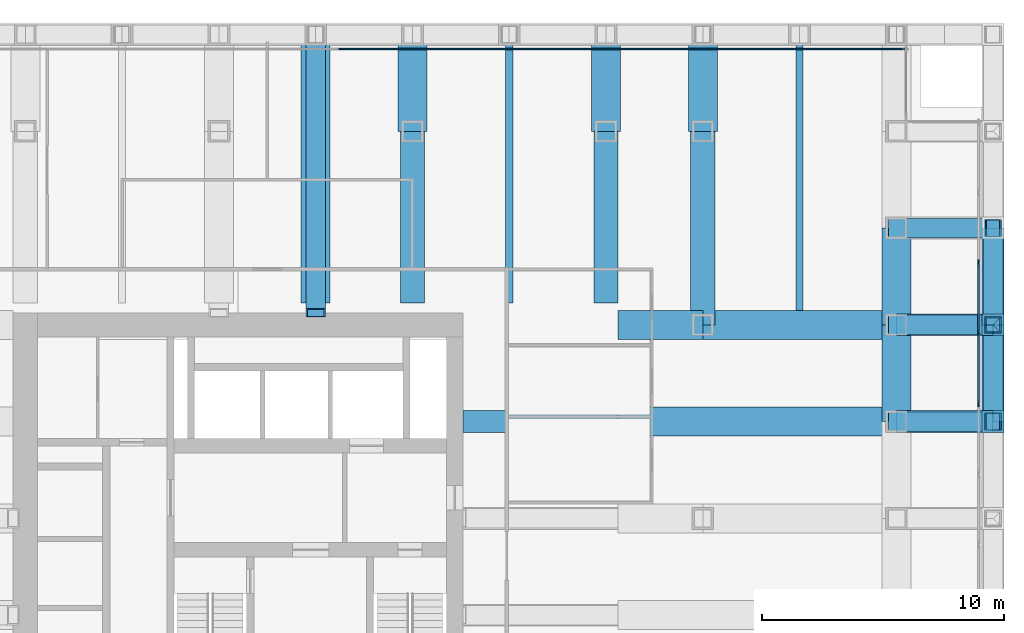
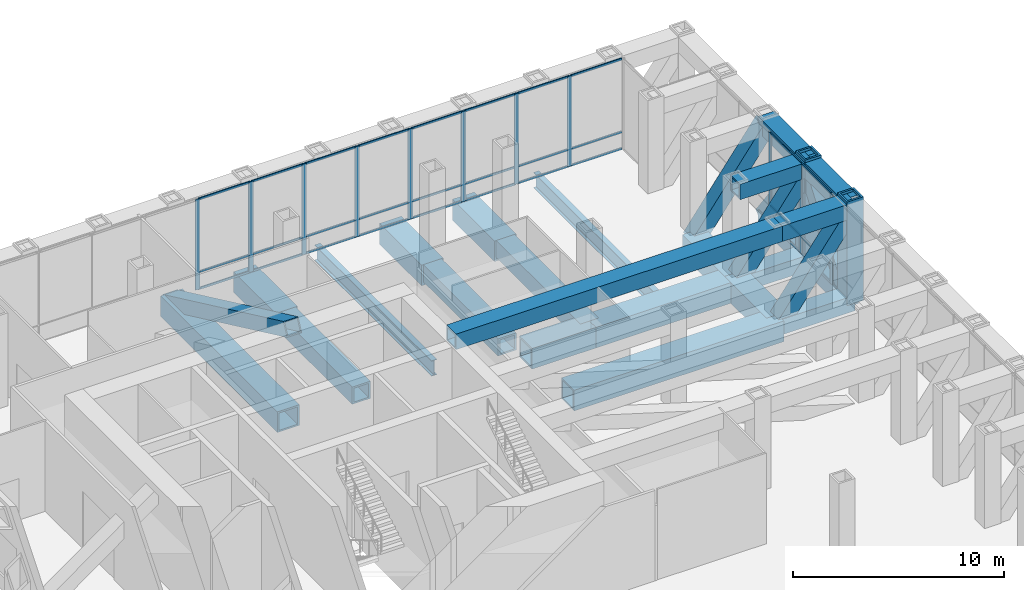
# One storey, part 8 of 14: 49 members, 23 beams, 2 elements without a shape of their own.
"""IFC4 building model written with IfcOpenShell, lengths in metres."""

from ifc_helpers import new_model, si_unit, direction, frame, origin, origin_2d, place, context, subcontext, project, spatial, rectangle, hollow_rectangle, i_section, extrude, material, material_profile, profile_set, type_object, element, aggregate, save


model = new_model("IFC4")

# Units and contexts
model_context = context("Model", 3, precision=1e-05, world=origin(), true_north=direction((0.0, 1.0)))
body_context = subcontext(model_context, "Body", "Model", "MODEL_VIEW")
ifc_project = project(units=[si_unit("LENGTHUNIT", "METRE"), si_unit("AREAUNIT", "SQUARE_METRE"), si_unit("VOLUMEUNIT", "CUBIC_METRE"), si_unit("PLANEANGLEUNIT", "RADIAN"), si_unit("MASSUNIT", "GRAM", prefix="KILO")], contexts=[model_context])

# Site, building, storey
site_placement = place(None, origin())
site = spatial("IfcSite", under=ifc_project, at=site_placement, CompositionType="ELEMENT")
building_placement = place(site_placement, origin())
building = spatial("IfcBuilding", under=site, at=building_placement, Name="Rimbunsela Tower", CompositionType="ELEMENT")
storey_placement = place(building_placement, frame((0.0, 0.0, 71.0)))
storey = spatial("IfcBuildingStorey", under=building, at=storey_placement, Name="L17", CompositionType="ELEMENT", Elevation=71.0)

# Beams
ifc_material_1 = material(Name="Steel BJ 55 (fy 410 MPa)", Category="steel")
ifc_material_profile_1 = material_profile(ifc_material_1, hollow_rectangle(XDim=1.0, YDim=1.0, WallThickness=0.10009765625, at=origin_2d()), Name="BOX 1000x1000x100")
ifc_profile_set_1 = profile_set([ifc_material_profile_1], Name="Steel BJ 55 (fy 410 MPa)")
beam_type_1 = type_object("IfcBeamType", Name="Beam BOX 1000x1000x100", PredefinedType="BEAM", material=ifc_profile_set_1)
for number, where, z_axis, x_axis, name in (
    (1, (34.0, 36.89990234375, -0.64990234375), (0.0, 1.0, 0.0), (-1.0, 0.0, 0.0), "Beam B3 L17"),
    (2, (42.0, 36.89990234375, -0.64990234375), (0.0, 1.0, 0.0), (-1.0, 0.0, 0.0), "Beam B3 L17"),
):
    element("IfcBeam", number, at=place(storey_placement, frame(where, z_axis=z_axis, x_axis=x_axis)), inside=storey, type_object=beam_type_1, Name=name, PredefinedType="BEAM", context=body_context, shape_type="SweptSolid", body=[
        extrude(hollow_rectangle(XDim=1.0, YDim=1.0, WallThickness=0.10009765625, at=origin_2d()), origin(), (0.0, 0.0, 1.0), 7.10009765625),
    ])
beam_1_placement = place(storey_placement, frame((46.0, 36.0, -0.64990234375), z_axis=(0.0, 1.0, 0.0), x_axis=(-1.0, 0.0, 0.0)))
element("IfcBeam", 3, at=beam_1_placement, inside=storey, type_object=beam_type_1, Name="Beam B3 L17", PredefinedType="BEAM", context=body_context, shape_type="SweptSolid", body=[
    extrude(hollow_rectangle(XDim=1.0, YDim=1.0, WallThickness=0.10009765625, at=origin_2d()), origin(), (0.0, 0.0, 1.0), 8.0),
])
ifc_material_2 = material(Name="Steel BJ 55 (fy 410 MPa)", Category="steel")
ifc_material_profile_2 = material_profile(ifc_material_2, hollow_rectangle(XDim=1.199951171875, YDim=1.199951171875, WallThickness=0.10009765625, at=origin_2d()), Name="BOX 1200x1200x100")
ifc_profile_set_2 = profile_set([ifc_material_profile_2], Name="Steel BJ 55 (fy 410 MPa)")
beam_type_2 = type_object("IfcBeamType", Name="Beam BOX 1200x1200x100", PredefinedType="BEAM", material=ifc_profile_set_2)
beam_2_placement = place(storey_placement, frame((30.0, 36.89990234375, -0.75), z_axis=(0.0, 1.0, 0.0), x_axis=(-1.0, 0.0, 0.0)))
element("IfcBeam", 4, at=beam_2_placement, inside=storey, type_object=beam_type_2, Name="Beam B5 L17", PredefinedType="BEAM", context=body_context, shape_type="SweptSolid", body=[
    extrude(hollow_rectangle(XDim=1.199951171875, YDim=1.199951171875, WallThickness=0.10009765625, at=origin_2d()), origin(), (0.0, 0.0, 1.0), 11.10009765625),
])
beam_3_placement = place(storey_placement, frame((42.5, 32.0, -0.75), z_axis=(1.0, 0.0, 0.0), x_axis=(0.0, 1.0, 0.0)))
element("IfcBeam", 5, at=beam_3_placement, inside=storey, type_object=beam_type_2, Name="Beam B5 L17", PredefinedType="BEAM", context=body_context, shape_type="SweptSolid", body=[
    extrude(hollow_rectangle(XDim=1.199951171875, YDim=1.199951171875, WallThickness=0.10009765625, at=origin_2d()), origin(), (0.0, 0.0, 1.0), 11.5),
])
beam_4_placement = place(storey_placement, frame((42.5, 36.0, -0.75), z_axis=(1.0, 0.0, 0.0), x_axis=(0.0, 1.0, 0.0)))
element("IfcBeam", 6, at=beam_4_placement, inside=storey, type_object=beam_type_2, Name="Beam B5 L17", PredefinedType="BEAM", context=body_context, shape_type="SweptSolid", body=[
    extrude(hollow_rectangle(XDim=1.199951171875, YDim=1.199951171875, WallThickness=0.10009765625, at=origin_2d()), origin(), (0.0, 0.0, 1.0), 3.5),
])
ifc_material_3 = material(Name="Steel BJ 55 (fy 410 MPa)", Category="steel")
ifc_material_profile_3 = material_profile(ifc_material_3, hollow_rectangle(XDim=1.199951171875, YDim=1.199951171875, WallThickness=0.125, at=origin_2d()), Name="BOX 1200x1200x125")
ifc_profile_set_3 = profile_set([ifc_material_profile_3], Name="Steel BJ 55 (fy 410 MPa)")
beam_type_3 = type_object("IfcBeamType", Name="Beam BOX 1200x1200x125", PredefinedType="BEAM", material=ifc_profile_set_3)
for number, where, z_axis, x_axis, name in (
    (7, (34.0, 44.0, -0.75), (0.0, 1.0, 0.0), (-1.0, 0.0, 0.0), "Beam B4 L17"),
    (8, (42.0, 44.0, -0.75), (0.0, 1.0, 0.0), (-1.0, 0.0, 0.0), "Beam B4 L17"),
):
    element("IfcBeam", number, at=place(storey_placement, frame(where, z_axis=z_axis, x_axis=x_axis)), inside=storey, type_object=beam_type_3, Name=name, PredefinedType="BEAM", context=body_context, shape_type="SweptSolid", body=[
        extrude(hollow_rectangle(XDim=1.199951171875, YDim=1.199951171875, WallThickness=0.125, at=origin_2d()), origin(), (0.0, 0.0, 1.0), 4.0),
    ])
beam_5_placement = place(storey_placement, frame((46.0, 36.0, -0.75), z_axis=(1.0, 0.0, 0.0), x_axis=(0.0, 1.0, 0.0)))
element("IfcBeam", 9, at=beam_5_placement, inside=storey, type_object=beam_type_3, Name="Beam B4 L17", PredefinedType="BEAM", context=body_context, shape_type="SweptSolid", body=[
    extrude(hollow_rectangle(XDim=1.199951171875, YDim=1.199951171875, WallThickness=0.125, at=origin_2d()), origin(), (0.0, 0.0, 1.0), 8.0),
])
for number, where, z_axis, x_axis, name in (
    (10, (46.0, 44.0, -0.75), (0.0, 1.0, 0.0), (-1.0, 0.0, 0.0), "Beam B4 L17"),
    (11, (54.0, 32.0, -0.75), (0.0, 1.0, 0.0), (-1.0, 0.0, 0.0), "Beam B4 L17"),
    (12, (54.0, 36.0, -0.75), (0.0, 1.0, 0.0), (-1.0, 0.0, 0.0), "Beam B4 L17"),
):
    element("IfcBeam", number, at=place(storey_placement, frame(where, z_axis=z_axis, x_axis=x_axis)), inside=storey, type_object=beam_type_3, Name=name, PredefinedType="BEAM", context=body_context, shape_type="SweptSolid", body=[
        extrude(hollow_rectangle(XDim=1.199951171875, YDim=1.199951171875, WallThickness=0.125, at=origin_2d()), origin(), (0.0, 0.0, 1.0), 4.0),
    ])
ifc_material_4 = material(Name="Steel BJ 55 (fy 410 MPa)", Category="steel")
ifc_material_profile_4 = material_profile(ifc_material_4, i_section(OverallWidth=0.300048828125, OverallDepth=0.89990234375, WebThickness=0.01611328125, FlangeThickness=0.028076171875, FilletRadius=0.028076171875, at=origin_2d()), Name="H 900x300x16x28")
ifc_profile_set_4 = profile_set([ifc_material_profile_4], Name="Steel BJ 55 (fy 410 MPa)")
beam_type_4 = type_object("IfcBeamType", Name="Beam H 900x300x16x28", PredefinedType="BEAM", material=ifc_profile_set_4)
beam_6_placement = place(storey_placement, frame((38.0, 36.89990234375, -0.60009765625), z_axis=(0.0, 1.0, 0.0), x_axis=(-1.0, 0.0, 0.0)))
element("IfcBeam", 13, at=beam_6_placement, inside=storey, type_object=beam_type_4, Name="Beam B2 L17", PredefinedType="BEAM", context=body_context, shape_type="SweptSolid", body=[
    extrude(i_section(OverallWidth=0.300048828125, OverallDepth=0.89990234375, WebThickness=0.01611328125, FlangeThickness=0.028076171875, FilletRadius=0.028076171875, at=origin_2d()), origin(), (0.0, 0.0, 1.0), 11.10009765625),
])
beam_7_placement = place(storey_placement, frame((50.0, 36.60009765625, -0.60009765625), z_axis=(0.0, 1.0, 0.0), x_axis=(-1.0, 0.0, 0.0)))
element("IfcBeam", 14, at=beam_7_placement, inside=storey, type_object=beam_type_4, Name="Beam B2 L17", PredefinedType="BEAM", context=body_context, shape_type="SweptSolid", body=[
    extrude(i_section(OverallWidth=0.300048828125, OverallDepth=0.89990234375, WebThickness=0.01611328125, FlangeThickness=0.028076171875, FilletRadius=0.028076171875, at=origin_2d()), origin(), (0.0, 0.0, 1.0), 11.39990234375),
])

# Curtain wall, members
ifc_material_5 = material(Name="Aluminium curtain wall", Category="aluminium")
curtain_wall_type = type_object("IfcCurtainWallType", Name="Plant floor louvre wall", PredefinedType="USERDEFINED", material=ifc_material_5)
curtain_wall_1_placement = place(storey_placement, origin())
curtain_wall_1 = element("IfcCurtainWall", 15, at=curtain_wall_1_placement, inside=storey, type_object=curtain_wall_type, Name="Plant floor louvre wall L17", ObjectType="PLANT FLOOR LOUVRE WALL", PredefinedType="USERDEFINED")
ifc_material_6 = material(Name="Aluminium mullion", Category="aluminium")
ifc_material_profile_5 = material_profile(ifc_material_6, rectangle(XDim=0.06005859375, YDim=0.25, at=origin_2d()), Name="Mullion 60x250")
ifc_profile_set_5 = profile_set([ifc_material_profile_5], Name="Aluminium mullion")
member_type_1 = type_object("IfcMemberType", Name="Curtain wall mullion 60x250", PredefinedType="MULLION", material=ifc_profile_set_5)
member_1_placement = place(storey_placement, frame((57.39990234375, 32.742919921875, 0.0), z_axis=(0.0, 0.0, 1.0), x_axis=(-1.0, 0.0, 0.0)))
member_1 = element("IfcMember", 16, at=member_1_placement, type_object=member_type_1, Name="CW3 mullion 11", PredefinedType="MULLION", context=body_context, shape_type="SweptSolid", body=[
    extrude(rectangle(XDim=0.06005859375, YDim=0.25, at=origin_2d()), origin(), (0.0, 0.0, 1.0), 5.25),
])
member_2_placement = place(storey_placement, frame((57.39990234375, 35.6572265625, 0.0), z_axis=(0.0, 0.0, 1.0), x_axis=(-1.0, 0.0, 0.0)))
member_2 = element("IfcMember", 17, at=member_2_placement, type_object=member_type_1, Name="CW3 mullion 12", PredefinedType="MULLION", context=body_context, shape_type="SweptSolid", body=[
    extrude(rectangle(XDim=0.06005859375, YDim=0.25, at=origin_2d()), origin(), (0.0, 0.0, 1.0), 5.25),
])
member_3_placement = place(storey_placement, frame((57.39990234375, 38.571533203125, 0.0), z_axis=(0.0, 0.0, 1.0), x_axis=(-1.0, 0.0, 0.0)))
member_3 = element("IfcMember", 18, at=member_3_placement, type_object=member_type_1, Name="CW3 mullion 13", PredefinedType="MULLION", context=body_context, shape_type="SweptSolid", body=[
    extrude(rectangle(XDim=0.06005859375, YDim=0.25, at=origin_2d()), origin(), (0.0, 0.0, 1.0), 5.25),
])

curtain_wall_2_placement = place(storey_placement, origin())
curtain_wall_2 = element("IfcCurtainWall", 19, at=curtain_wall_2_placement, inside=storey, type_object=curtain_wall_type, Name="Plant floor louvre wall L17", ObjectType="PLANT FLOOR LOUVRE WALL", PredefinedType="USERDEFINED")
member_4_placement = place(storey_placement, frame((51.485595703125, 47.39990234375, 0.0), z_axis=(0.0, 0.0, 1.0), x_axis=(0.0, -1.0, 0.0)))
member_4 = element("IfcMember", 20, at=member_4_placement, type_object=member_type_1, Name="CW3 mullion 2", PredefinedType="MULLION", context=body_context, shape_type="SweptSolid", body=[
    extrude(rectangle(XDim=0.06005859375, YDim=0.25, at=origin_2d()), origin(), (0.0, 0.0, 1.0), 5.25),
])
member_5_placement = place(storey_placement, frame((48.571533203125, 47.39990234375, 0.0), z_axis=(0.0, 0.0, 1.0), x_axis=(0.0, -1.0, 0.0)))
member_5 = element("IfcMember", 21, at=member_5_placement, type_object=member_type_1, Name="CW3 mullion 3", PredefinedType="MULLION", context=body_context, shape_type="SweptSolid", body=[
    extrude(rectangle(XDim=0.06005859375, YDim=0.25, at=origin_2d()), origin(), (0.0, 0.0, 1.0), 5.25),
])
member_6_placement = place(storey_placement, frame((45.6572265625, 47.39990234375, 0.0), z_axis=(0.0, 0.0, 1.0), x_axis=(0.0, -1.0, 0.0)))
member_6 = element("IfcMember", 22, at=member_6_placement, type_object=member_type_1, Name="CW3 mullion 4", PredefinedType="MULLION", context=body_context, shape_type="SweptSolid", body=[
    extrude(rectangle(XDim=0.06005859375, YDim=0.25, at=origin_2d()), origin(), (0.0, 0.0, 1.0), 5.25),
])
member_7_placement = place(storey_placement, frame((42.742919921875, 47.39990234375, 0.0), z_axis=(0.0, 0.0, 1.0), x_axis=(0.0, -1.0, 0.0)))
member_7 = element("IfcMember", 23, at=member_7_placement, type_object=member_type_1, Name="CW3 mullion 5", PredefinedType="MULLION", context=body_context, shape_type="SweptSolid", body=[
    extrude(rectangle(XDim=0.06005859375, YDim=0.25, at=origin_2d()), origin(), (0.0, 0.0, 1.0), 5.25),
])
member_8_placement = place(storey_placement, frame((39.82861328125, 47.39990234375, 0.0), z_axis=(0.0, 0.0, 1.0), x_axis=(0.0, -1.0, 0.0)))
member_8 = element("IfcMember", 24, at=member_8_placement, type_object=member_type_1, Name="CW3 mullion 6", PredefinedType="MULLION", context=body_context, shape_type="SweptSolid", body=[
    extrude(rectangle(XDim=0.06005859375, YDim=0.25, at=origin_2d()), origin(), (0.0, 0.0, 1.0), 5.25),
])
member_9_placement = place(storey_placement, frame((36.914306640625, 47.39990234375, 0.0), z_axis=(0.0, 0.0, 1.0), x_axis=(0.0, -1.0, 0.0)))
member_9 = element("IfcMember", 25, at=member_9_placement, type_object=member_type_1, Name="CW3 mullion 7", PredefinedType="MULLION", context=body_context, shape_type="SweptSolid", body=[
    extrude(rectangle(XDim=0.06005859375, YDim=0.25, at=origin_2d()), origin(), (0.0, 0.0, 1.0), 5.25),
])
member_10_placement = place(storey_placement, frame((34.0, 47.39990234375, 0.0), z_axis=(0.0, 0.0, 1.0), x_axis=(0.0, -1.0, 0.0)))
member_10 = element("IfcMember", 26, at=member_10_placement, type_object=member_type_1, Name="CW3 mullion 8", PredefinedType="MULLION", context=body_context, shape_type="SweptSolid", body=[
    extrude(rectangle(XDim=0.06005859375, YDim=0.25, at=origin_2d()), origin(), (0.0, 0.0, 1.0), 5.25),
])
member_11_placement = place(storey_placement, frame((31.085693359375, 47.39990234375, 0.0), z_axis=(0.0, 0.0, 1.0), x_axis=(0.0, -1.0, 0.0)))
member_11 = element("IfcMember", 27, at=member_11_placement, type_object=member_type_1, Name="CW3 mullion 9", PredefinedType="MULLION", context=body_context, shape_type="SweptSolid", body=[
    extrude(rectangle(XDim=0.06005859375, YDim=0.25, at=origin_2d()), origin(), (0.0, 0.0, 1.0), 5.25),
])

# Member
ifc_material_7 = material(Name="Aluminium transom", Category="aluminium")
ifc_material_profile_6 = material_profile(ifc_material_7, rectangle(XDim=0.06005859375, YDim=0.1201171875, at=origin_2d()), Name="Transom 60x120")
ifc_profile_set_6 = profile_set([ifc_material_profile_6], Name="Aluminium transom")
member_type_2 = type_object("IfcMemberType", Name="Curtain wall transom 60x120", PredefinedType="USERDEFINED", material=ifc_profile_set_6)
member_12_placement = place(storey_placement, frame((57.39990234375, 32.77294921875, 0.030029296875), z_axis=(0.0, 1.0, 0.0), x_axis=(-1.0, 0.0, 0.0)))
member_12 = element("IfcMember", 28, at=member_12_placement, type_object=member_type_2, Name="CW3 transom 11.1", ObjectType="TRANSOM", PredefinedType="USERDEFINED", context=body_context, shape_type="SweptSolid", body=[
    extrude(rectangle(XDim=0.06005859375, YDim=0.1201171875, at=origin_2d()), origin(), (0.0, 0.0, 1.0), 2.854248046875),
])

member_13_placement = place(storey_placement, frame((57.39990234375, 32.77294921875, 1.0), z_axis=(0.0, 1.0, 0.0), x_axis=(-1.0, 0.0, 0.0)))
member_13 = element("IfcMember", 29, at=member_13_placement, type_object=member_type_2, Name="CW3 transom 11.2", ObjectType="TRANSOM", PredefinedType="USERDEFINED", context=body_context, shape_type="SweptSolid", body=[
    extrude(rectangle(XDim=0.06005859375, YDim=0.1201171875, at=origin_2d()), origin(), (0.0, 0.0, 1.0), 2.854248046875),
])

member_14_placement = place(storey_placement, frame((57.39990234375, 32.77294921875, 5.219970703125), z_axis=(0.0, 1.0, 0.0), x_axis=(-1.0, 0.0, 0.0)))
member_14 = element("IfcMember", 30, at=member_14_placement, type_object=member_type_2, Name="CW3 transom 11.3", ObjectType="TRANSOM", PredefinedType="USERDEFINED", context=body_context, shape_type="SweptSolid", body=[
    extrude(rectangle(XDim=0.06005859375, YDim=0.1201171875, at=origin_2d()), origin(), (0.0, 0.0, 1.0), 2.854248046875),
])

member_15_placement = place(storey_placement, frame((57.39990234375, 35.687255859375, 0.030029296875), z_axis=(0.0, 1.0, 0.0), x_axis=(-1.0, 0.0, 0.0)))
member_15 = element("IfcMember", 31, at=member_15_placement, type_object=member_type_2, Name="CW3 transom 12.1", ObjectType="TRANSOM", PredefinedType="USERDEFINED", context=body_context, shape_type="SweptSolid", body=[
    extrude(rectangle(XDim=0.06005859375, YDim=0.1201171875, at=origin_2d()), origin(), (0.0, 0.0, 1.0), 2.854248046875),
])

member_16_placement = place(storey_placement, frame((57.39990234375, 35.687255859375, 1.0), z_axis=(0.0, 1.0, 0.0), x_axis=(-1.0, 0.0, 0.0)))
member_16 = element("IfcMember", 32, at=member_16_placement, type_object=member_type_2, Name="CW3 transom 12.2", ObjectType="TRANSOM", PredefinedType="USERDEFINED", context=body_context, shape_type="SweptSolid", body=[
    extrude(rectangle(XDim=0.06005859375, YDim=0.1201171875, at=origin_2d()), origin(), (0.0, 0.0, 1.0), 2.854248046875),
])

member_17_placement = place(storey_placement, frame((57.39990234375, 35.687255859375, 5.219970703125), z_axis=(0.0, 1.0, 0.0), x_axis=(-1.0, 0.0, 0.0)))
member_17 = element("IfcMember", 33, at=member_17_placement, type_object=member_type_2, Name="CW3 transom 12.3", ObjectType="TRANSOM", PredefinedType="USERDEFINED", context=body_context, shape_type="SweptSolid", body=[
    extrude(rectangle(XDim=0.06005859375, YDim=0.1201171875, at=origin_2d()), origin(), (0.0, 0.0, 1.0), 2.854248046875),
])

aggregate(curtain_wall_1, [member_1, member_2, member_3, member_12, member_13, member_14, member_15, member_16, member_17])

member_18_placement = place(storey_placement, frame((54.340087890625, 47.39990234375, 0.030029296875), z_axis=(-1.0, 0.0, 0.0), x_axis=(0.0, -1.0, 0.0)))
member_18 = element("IfcMember", 34, at=member_18_placement, type_object=member_type_2, Name="CW3 transom 1.1", ObjectType="TRANSOM", PredefinedType="USERDEFINED", context=body_context, shape_type="SweptSolid", body=[
    extrude(rectangle(XDim=0.06005859375, YDim=0.1201171875, at=origin_2d()), origin(), (0.0, 0.0, 1.0), 2.824462890625),
])

member_19_placement = place(storey_placement, frame((54.340087890625, 47.39990234375, 1.0), z_axis=(-1.0, 0.0, 0.0), x_axis=(0.0, -1.0, 0.0)))
member_19 = element("IfcMember", 35, at=member_19_placement, type_object=member_type_2, Name="CW3 transom 1.2", ObjectType="TRANSOM", PredefinedType="USERDEFINED", context=body_context, shape_type="SweptSolid", body=[
    extrude(rectangle(XDim=0.06005859375, YDim=0.1201171875, at=origin_2d()), origin(), (0.0, 0.0, 1.0), 2.824462890625),
])

member_20_placement = place(storey_placement, frame((54.340087890625, 47.39990234375, 5.219970703125), z_axis=(-1.0, 0.0, 0.0), x_axis=(0.0, -1.0, 0.0)))
member_20 = element("IfcMember", 36, at=member_20_placement, type_object=member_type_2, Name="CW3 transom 1.3", ObjectType="TRANSOM", PredefinedType="USERDEFINED", context=body_context, shape_type="SweptSolid", body=[
    extrude(rectangle(XDim=0.06005859375, YDim=0.1201171875, at=origin_2d()), origin(), (0.0, 0.0, 1.0), 2.824462890625),
])

member_21_placement = place(storey_placement, frame((51.455810546875, 47.39990234375, 0.030029296875), z_axis=(-1.0, 0.0, 0.0), x_axis=(0.0, -1.0, 0.0)))
member_21 = element("IfcMember", 37, at=member_21_placement, type_object=member_type_2, Name="CW3 transom 2.1", ObjectType="TRANSOM", PredefinedType="USERDEFINED", context=body_context, shape_type="SweptSolid", body=[
    extrude(rectangle(XDim=0.06005859375, YDim=0.1201171875, at=origin_2d()), origin(), (0.0, 0.0, 1.0), 2.8544921875),
])

member_22_placement = place(storey_placement, frame((51.455810546875, 47.39990234375, 1.0), z_axis=(-1.0, 0.0, 0.0), x_axis=(0.0, -1.0, 0.0)))
member_22 = element("IfcMember", 38, at=member_22_placement, type_object=member_type_2, Name="CW3 transom 2.2", ObjectType="TRANSOM", PredefinedType="USERDEFINED", context=body_context, shape_type="SweptSolid", body=[
    extrude(rectangle(XDim=0.06005859375, YDim=0.1201171875, at=origin_2d()), origin(), (0.0, 0.0, 1.0), 2.8544921875),
])

member_23_placement = place(storey_placement, frame((51.455810546875, 47.39990234375, 5.219970703125), z_axis=(-1.0, 0.0, 0.0), x_axis=(0.0, -1.0, 0.0)))
member_23 = element("IfcMember", 39, at=member_23_placement, type_object=member_type_2, Name="CW3 transom 2.3", ObjectType="TRANSOM", PredefinedType="USERDEFINED", context=body_context, shape_type="SweptSolid", body=[
    extrude(rectangle(XDim=0.06005859375, YDim=0.1201171875, at=origin_2d()), origin(), (0.0, 0.0, 1.0), 2.8544921875),
])

member_24_placement = place(storey_placement, frame((48.54150390625, 47.39990234375, 0.030029296875), z_axis=(-1.0, 0.0, 0.0), x_axis=(0.0, -1.0, 0.0)))
member_24 = element("IfcMember", 40, at=member_24_placement, type_object=member_type_2, Name="CW3 transom 3.1", ObjectType="TRANSOM", PredefinedType="USERDEFINED", context=body_context, shape_type="SweptSolid", body=[
    extrude(rectangle(XDim=0.06005859375, YDim=0.1201171875, at=origin_2d()), origin(), (0.0, 0.0, 1.0), 2.854248046875),
])

member_25_placement = place(storey_placement, frame((48.54150390625, 47.39990234375, 1.0), z_axis=(-1.0, 0.0, 0.0), x_axis=(0.0, -1.0, 0.0)))
member_25 = element("IfcMember", 41, at=member_25_placement, type_object=member_type_2, Name="CW3 transom 3.2", ObjectType="TRANSOM", PredefinedType="USERDEFINED", context=body_context, shape_type="SweptSolid", body=[
    extrude(rectangle(XDim=0.06005859375, YDim=0.1201171875, at=origin_2d()), origin(), (0.0, 0.0, 1.0), 2.854248046875),
])

member_26_placement = place(storey_placement, frame((48.54150390625, 47.39990234375, 5.219970703125), z_axis=(-1.0, 0.0, 0.0), x_axis=(0.0, -1.0, 0.0)))
member_26 = element("IfcMember", 42, at=member_26_placement, type_object=member_type_2, Name="CW3 transom 3.3", ObjectType="TRANSOM", PredefinedType="USERDEFINED", context=body_context, shape_type="SweptSolid", body=[
    extrude(rectangle(XDim=0.06005859375, YDim=0.1201171875, at=origin_2d()), origin(), (0.0, 0.0, 1.0), 2.854248046875),
])

member_27_placement = place(storey_placement, frame((45.627197265625, 47.39990234375, 0.030029296875), z_axis=(-1.0, 0.0, 0.0), x_axis=(0.0, -1.0, 0.0)))
member_27 = element("IfcMember", 43, at=member_27_placement, type_object=member_type_2, Name="CW3 transom 4.1", ObjectType="TRANSOM", PredefinedType="USERDEFINED", context=body_context, shape_type="SweptSolid", body=[
    extrude(rectangle(XDim=0.06005859375, YDim=0.1201171875, at=origin_2d()), origin(), (0.0, 0.0, 1.0), 2.854248046875),
])

member_28_placement = place(storey_placement, frame((45.627197265625, 47.39990234375, 1.0), z_axis=(-1.0, 0.0, 0.0), x_axis=(0.0, -1.0, 0.0)))
member_28 = element("IfcMember", 44, at=member_28_placement, type_object=member_type_2, Name="CW3 transom 4.2", ObjectType="TRANSOM", PredefinedType="USERDEFINED", context=body_context, shape_type="SweptSolid", body=[
    extrude(rectangle(XDim=0.06005859375, YDim=0.1201171875, at=origin_2d()), origin(), (0.0, 0.0, 1.0), 2.854248046875),
])

member_29_placement = place(storey_placement, frame((45.627197265625, 47.39990234375, 5.219970703125), z_axis=(-1.0, 0.0, 0.0), x_axis=(0.0, -1.0, 0.0)))
member_29 = element("IfcMember", 45, at=member_29_placement, type_object=member_type_2, Name="CW3 transom 4.3", ObjectType="TRANSOM", PredefinedType="USERDEFINED", context=body_context, shape_type="SweptSolid", body=[
    extrude(rectangle(XDim=0.06005859375, YDim=0.1201171875, at=origin_2d()), origin(), (0.0, 0.0, 1.0), 2.854248046875),
])

member_30_placement = place(storey_placement, frame((42.712890625, 47.39990234375, 0.030029296875), z_axis=(-1.0, 0.0, 0.0), x_axis=(0.0, -1.0, 0.0)))
member_30 = element("IfcMember", 46, at=member_30_placement, type_object=member_type_2, Name="CW3 transom 5.1", ObjectType="TRANSOM", PredefinedType="USERDEFINED", context=body_context, shape_type="SweptSolid", body=[
    extrude(rectangle(XDim=0.06005859375, YDim=0.1201171875, at=origin_2d()), origin(), (0.0, 0.0, 1.0), 2.854248046875),
])

member_31_placement = place(storey_placement, frame((42.712890625, 47.39990234375, 1.0), z_axis=(-1.0, 0.0, 0.0), x_axis=(0.0, -1.0, 0.0)))
member_31 = element("IfcMember", 47, at=member_31_placement, type_object=member_type_2, Name="CW3 transom 5.2", ObjectType="TRANSOM", PredefinedType="USERDEFINED", context=body_context, shape_type="SweptSolid", body=[
    extrude(rectangle(XDim=0.06005859375, YDim=0.1201171875, at=origin_2d()), origin(), (0.0, 0.0, 1.0), 2.854248046875),
])

member_32_placement = place(storey_placement, frame((42.712890625, 47.39990234375, 5.219970703125), z_axis=(-1.0, 0.0, 0.0), x_axis=(0.0, -1.0, 0.0)))
member_32 = element("IfcMember", 48, at=member_32_placement, type_object=member_type_2, Name="CW3 transom 5.3", ObjectType="TRANSOM", PredefinedType="USERDEFINED", context=body_context, shape_type="SweptSolid", body=[
    extrude(rectangle(XDim=0.06005859375, YDim=0.1201171875, at=origin_2d()), origin(), (0.0, 0.0, 1.0), 2.854248046875),
])

member_33_placement = place(storey_placement, frame((39.798583984375, 47.39990234375, 0.030029296875), z_axis=(-1.0, 0.0, 0.0), x_axis=(0.0, -1.0, 0.0)))
member_33 = element("IfcMember", 49, at=member_33_placement, type_object=member_type_2, Name="CW3 transom 6.1", ObjectType="TRANSOM", PredefinedType="USERDEFINED", context=body_context, shape_type="SweptSolid", body=[
    extrude(rectangle(XDim=0.06005859375, YDim=0.1201171875, at=origin_2d()), origin(), (0.0, 0.0, 1.0), 2.854248046875),
])

member_34_placement = place(storey_placement, frame((39.798583984375, 47.39990234375, 1.0), z_axis=(-1.0, 0.0, 0.0), x_axis=(0.0, -1.0, 0.0)))
member_34 = element("IfcMember", 50, at=member_34_placement, type_object=member_type_2, Name="CW3 transom 6.2", ObjectType="TRANSOM", PredefinedType="USERDEFINED", context=body_context, shape_type="SweptSolid", body=[
    extrude(rectangle(XDim=0.06005859375, YDim=0.1201171875, at=origin_2d()), origin(), (0.0, 0.0, 1.0), 2.854248046875),
])

member_35_placement = place(storey_placement, frame((39.798583984375, 47.39990234375, 5.219970703125), z_axis=(-1.0, 0.0, 0.0), x_axis=(0.0, -1.0, 0.0)))
member_35 = element("IfcMember", 51, at=member_35_placement, type_object=member_type_2, Name="CW3 transom 6.3", ObjectType="TRANSOM", PredefinedType="USERDEFINED", context=body_context, shape_type="SweptSolid", body=[
    extrude(rectangle(XDim=0.06005859375, YDim=0.1201171875, at=origin_2d()), origin(), (0.0, 0.0, 1.0), 2.854248046875),
])

member_36_placement = place(storey_placement, frame((36.88427734375, 47.39990234375, 0.030029296875), z_axis=(-1.0, 0.0, 0.0), x_axis=(0.0, -1.0, 0.0)))
member_36 = element("IfcMember", 52, at=member_36_placement, type_object=member_type_2, Name="CW3 transom 7.1", ObjectType="TRANSOM", PredefinedType="USERDEFINED", context=body_context, shape_type="SweptSolid", body=[
    extrude(rectangle(XDim=0.06005859375, YDim=0.1201171875, at=origin_2d()), origin(), (0.0, 0.0, 1.0), 2.854248046875),
])

member_37_placement = place(storey_placement, frame((36.88427734375, 47.39990234375, 1.0), z_axis=(-1.0, 0.0, 0.0), x_axis=(0.0, -1.0, 0.0)))
member_37 = element("IfcMember", 53, at=member_37_placement, type_object=member_type_2, Name="CW3 transom 7.2", ObjectType="TRANSOM", PredefinedType="USERDEFINED", context=body_context, shape_type="SweptSolid", body=[
    extrude(rectangle(XDim=0.06005859375, YDim=0.1201171875, at=origin_2d()), origin(), (0.0, 0.0, 1.0), 2.854248046875),
])

member_38_placement = place(storey_placement, frame((36.88427734375, 47.39990234375, 5.219970703125), z_axis=(-1.0, 0.0, 0.0), x_axis=(0.0, -1.0, 0.0)))
member_38 = element("IfcMember", 54, at=member_38_placement, type_object=member_type_2, Name="CW3 transom 7.3", ObjectType="TRANSOM", PredefinedType="USERDEFINED", context=body_context, shape_type="SweptSolid", body=[
    extrude(rectangle(XDim=0.06005859375, YDim=0.1201171875, at=origin_2d()), origin(), (0.0, 0.0, 1.0), 2.854248046875),
])

member_39_placement = place(storey_placement, frame((33.969970703125, 47.39990234375, 0.030029296875), z_axis=(-1.0, 0.0, 0.0), x_axis=(0.0, -1.0, 0.0)))
member_39 = element("IfcMember", 55, at=member_39_placement, type_object=member_type_2, Name="CW3 transom 8.1", ObjectType="TRANSOM", PredefinedType="USERDEFINED", context=body_context, shape_type="SweptSolid", body=[
    extrude(rectangle(XDim=0.06005859375, YDim=0.1201171875, at=origin_2d()), origin(), (0.0, 0.0, 1.0), 2.854248046875),
])

member_40_placement = place(storey_placement, frame((33.969970703125, 47.39990234375, 1.0), z_axis=(-1.0, 0.0, 0.0), x_axis=(0.0, -1.0, 0.0)))
member_40 = element("IfcMember", 56, at=member_40_placement, type_object=member_type_2, Name="CW3 transom 8.2", ObjectType="TRANSOM", PredefinedType="USERDEFINED", context=body_context, shape_type="SweptSolid", body=[
    extrude(rectangle(XDim=0.06005859375, YDim=0.1201171875, at=origin_2d()), origin(), (0.0, 0.0, 1.0), 2.854248046875),
])

member_41_placement = place(storey_placement, frame((33.969970703125, 47.39990234375, 5.219970703125), z_axis=(-1.0, 0.0, 0.0), x_axis=(0.0, -1.0, 0.0)))
member_41 = element("IfcMember", 57, at=member_41_placement, type_object=member_type_2, Name="CW3 transom 8.3", ObjectType="TRANSOM", PredefinedType="USERDEFINED", context=body_context, shape_type="SweptSolid", body=[
    extrude(rectangle(XDim=0.06005859375, YDim=0.1201171875, at=origin_2d()), origin(), (0.0, 0.0, 1.0), 2.854248046875),
])

aggregate(curtain_wall_2, [member_4, member_5, member_6, member_7, member_8, member_9, member_10, member_11, member_18, member_19, member_20, member_21, member_22, member_23, member_24, member_25, member_26, member_27, member_28, member_29, member_30, member_31, member_32, member_33, member_34, member_35, member_36, member_37, member_38, member_39, member_40, member_41])

ifc_material_8 = material(Name="Steel BJ 55 (fy 410 MPa)", Category="steel")
ifc_material_profile_7 = material_profile(ifc_material_8, hollow_rectangle(XDim=0.800048828125, YDim=0.800048828125, WallThickness=0.06005859375, at=origin_2d()), Name="BOX 800x800x60")
ifc_profile_set_7 = profile_set([ifc_material_profile_7], Name="Steel BJ 55 (fy 410 MPa)")
member_type_3 = type_object("IfcMemberType", Name="Outrigger brace BOX 800x800x60", PredefinedType="BRACE", material=ifc_profile_set_7)
member_42_placement = place(storey_placement, frame((30.0, 48.0, -0.60009765625), z_axis=(0.0, -0.905170711819, 0.42504821193), x_axis=(1.0, 0.0, 0.0)))
element("IfcMember", 58, at=member_42_placement, inside=storey, type_object=member_type_3, Name="Outrigger brace OB1 N L17", PredefinedType="BRACE", context=body_context, shape_type="SweptSolid", body=[
    extrude(hollow_rectangle(XDim=0.800048828125, YDim=0.800048828125, WallThickness=0.06005859375, at=origin_2d()), origin(), (0.0, 0.0, 1.0), 12.704833984375),
])

# Beams
ifc_material_9 = material(Name="Steel BJ 55 (fy 410 MPa)", Category="steel")
ifc_material_profile_8 = material_profile(ifc_material_9, hollow_rectangle(XDim=0.89990234375, YDim=0.89990234375, WallThickness=0.10009765625, at=origin_2d()), Name="BOX 900x900x100")
ifc_profile_set_8 = profile_set([ifc_material_profile_8], Name="Steel BJ 55 (fy 410 MPa)")
beam_type_5 = type_object("IfcBeamType", Name="Truss chord BOX 900x900x100", PredefinedType="USERDEFINED", material=ifc_profile_set_8)
for number, where, z_axis, x_axis, name in (
    (59, (58.0, 32.0, 4.800048828125), (0.0, 1.0, 0.0), (-1.0, 0.0, 0.0), "Truss top chord TC2 E face L17"),
    (60, (58.0, 36.0, 4.800048828125), (0.0, 1.0, 0.0), (-1.0, 0.0, 0.0), "Truss top chord TC2 E face L17"),
    (61, (54.0, 32.0, -0.60009765625), (1.0, 0.0, 0.0), (0.0, 1.0, 0.0), "Cantilever truss bottom chord TC2 17/K L17"),
):
    element("IfcBeam", number, at=place(storey_placement, frame(where, z_axis=z_axis, x_axis=x_axis)), inside=storey, type_object=beam_type_5, Name=name, ObjectType="TRUSS CHORD", PredefinedType="USERDEFINED", context=body_context, shape_type="SweptSolid", body=[
        extrude(hollow_rectangle(XDim=0.89990234375, YDim=0.89990234375, WallThickness=0.10009765625, at=origin_2d()), origin(), (0.0, 0.0, 1.0), 4.0),
    ])
beam_8_placement = place(storey_placement, frame((36.10009765625, 32.0, 4.800048828125), z_axis=(1.0, 0.0, 0.0), x_axis=(0.0, 1.0, 0.0)))
element("IfcBeam", 62, at=beam_8_placement, inside=storey, type_object=beam_type_5, Name="Cantilever truss top chord TC2 17/K L17", ObjectType="TRUSS CHORD", PredefinedType="USERDEFINED", context=body_context, shape_type="SweptSolid", body=[
    extrude(hollow_rectangle(XDim=0.89990234375, YDim=0.89990234375, WallThickness=0.10009765625, at=origin_2d()), origin(), (0.0, 0.0, 1.0), 17.89990234375),
])
for number, where, z_axis, x_axis, name in (
    (63, (54.0, 32.0, 4.800048828125), (1.0, 0.0, 0.0), (0.0, 1.0, 0.0), "Cantilever truss top chord TC2 17/K L17"),
    (64, (54.0, 36.0, -0.60009765625), (1.0, 0.0, 0.0), (0.0, 1.0, 0.0), "Cantilever truss bottom chord TC2 17/L L17"),
    (65, (54.0, 36.0, 4.800048828125), (1.0, 0.0, 0.0), (0.0, 1.0, 0.0), "Cantilever truss top chord TC2 17/L L17"),
    (66, (58.0, 32.0, -0.60009765625), (0.0, 1.0, 0.0), (-1.0, 0.0, 0.0), "Truss bottom chord TC2 E face L17"),
    (67, (58.0, 36.0, -0.60009765625), (0.0, 1.0, 0.0), (-1.0, 0.0, 0.0), "Truss bottom chord TC2 E face L17"),
):
    element("IfcBeam", number, at=place(storey_placement, frame(where, z_axis=z_axis, x_axis=x_axis)), inside=storey, type_object=beam_type_5, Name=name, ObjectType="TRUSS CHORD", PredefinedType="USERDEFINED", context=body_context, shape_type="SweptSolid", body=[
        extrude(hollow_rectangle(XDim=0.89990234375, YDim=0.89990234375, WallThickness=0.10009765625, at=origin_2d()), origin(), (0.0, 0.0, 1.0), 4.0),
    ])

# Members
ifc_material_10 = material(Name="Steel BJ 55 (fy 410 MPa)", Category="steel")
ifc_material_profile_9 = material_profile(ifc_material_10, hollow_rectangle(XDim=0.800048828125, YDim=0.800048828125, WallThickness=0.06005859375, at=origin_2d()), Name="BOX 800x800x60")
ifc_profile_set_9 = profile_set([ifc_material_profile_9], Name="Steel BJ 55 (fy 410 MPa)")
member_type_4 = type_object("IfcMemberType", Name="Truss diagonal BOX 800x800x60", PredefinedType="BRACE", material=ifc_profile_set_9)
for number, where, z_axis, x_axis, name in (
    (68, (58.0, 32.0, -0.60009765625), (0.0, 0.595217124844, 0.803564916041), (-1.0, 0.0, 0.0), "Truss diagonal TD2 E face L17"),
    (69, (58.0, 36.0, 4.800048828125), (0.0, 0.595217124844, -0.803564916041), (-1.0, 0.0, 0.0), "Truss diagonal TD2 E face L17"),
    (70, (54.0, 32.0, -0.60009765625), (0.595217124844, 0.0, 0.803564916041), (0.0, 1.0, 0.0), "Cantilever truss diagonal TD2 17/K L17"),
    (71, (54.0, 36.0, -0.60009765625), (0.595217124844, 0.0, 0.803564916041), (0.0, 1.0, 0.0), "Cantilever truss diagonal TD2 17/L L17"),
    (72, (54.0, 40.0, -0.60009765625), (0.595217124844, 0.0, 0.803564916041), (0.0, 1.0, 0.0), "Cantilever truss diagonal TD2 17/M L17"),
):
    element("IfcMember", number, at=place(storey_placement, frame(where, z_axis=z_axis, x_axis=x_axis)), inside=storey, type_object=member_type_4, Name=name, PredefinedType="BRACE", context=body_context, shape_type="SweptSolid", body=[
        extrude(hollow_rectangle(XDim=0.800048828125, YDim=0.800048828125, WallThickness=0.06005859375, at=origin_2d()), origin(), (0.0, 0.0, 1.0), 6.72021484375),
    ])
ifc_material_11 = material(Name="Steel BJ 55 (fy 410 MPa)", Category="steel")
ifc_material_profile_10 = material_profile(ifc_material_11, hollow_rectangle(XDim=0.89990234375, YDim=0.89990234375, WallThickness=0.10009765625, at=origin_2d()), Name="BOX 900x900x100")
ifc_profile_set_10 = profile_set([ifc_material_profile_10], Name="Steel BJ 55 (fy 410 MPa)")
member_type_5 = type_object("IfcMemberType", Name="Truss post BOX 900x900x100", PredefinedType="POST", material=ifc_profile_set_10)
for number, where, z_axis, x_axis, name in (
    (73, (58.0, 32.0, -0.60009765625), (0.0, 0.0, 1.0), (1.0, 0.0, 0.0), "Truss post TP2 17/K L17"),
    (74, (58.0, 36.0, -0.60009765625), (0.0, 0.0, 1.0), (1.0, 0.0, 0.0), "Truss post TP2 17/L L17"),
):
    element("IfcMember", number, at=place(storey_placement, frame(where, z_axis=z_axis, x_axis=x_axis)), inside=storey, type_object=member_type_5, Name=name, PredefinedType="POST", context=body_context, shape_type="SweptSolid", body=[
        extrude(hollow_rectangle(XDim=0.89990234375, YDim=0.89990234375, WallThickness=0.10009765625, at=origin_2d()), origin(), (0.0, 0.0, 1.0), 6.0),
    ])

save(model, "model.ifc")
